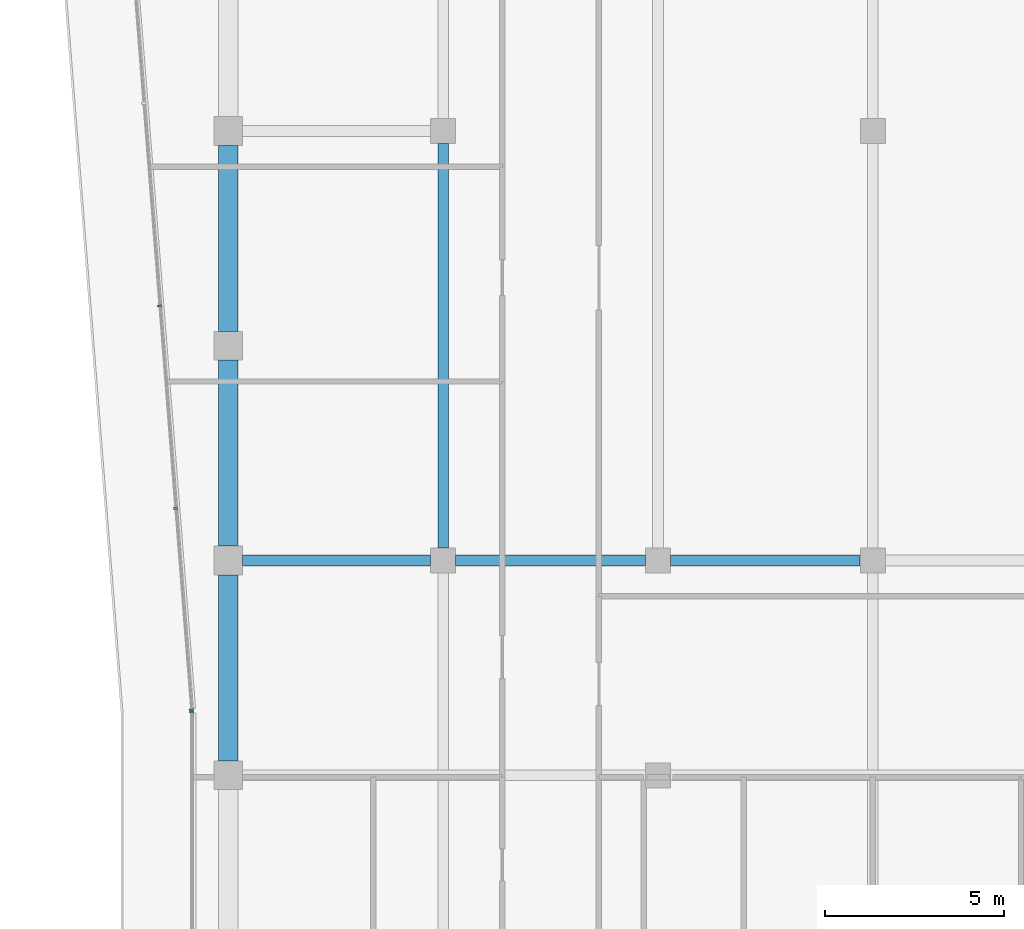
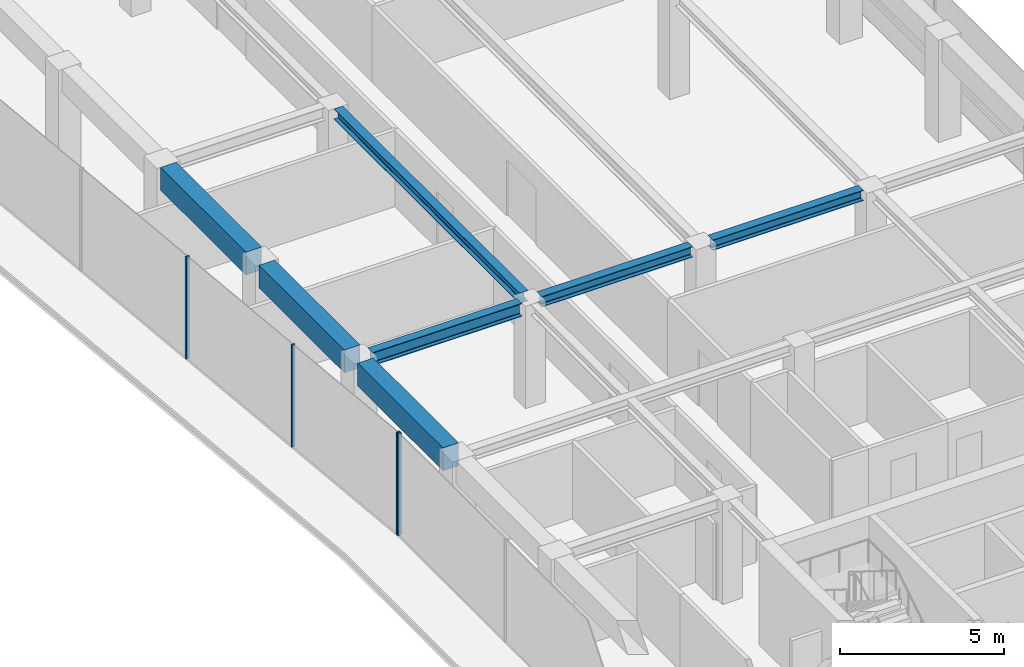
# One storey, part 7 of 23: 7 beams, 4 members, 2 elements without a shape of their own.
"""IFC4 building model written with IfcOpenShell, lengths in metres."""

from ifc_helpers import new_model, si_unit, direction, frame, origin, origin_2d, place, context, subcontext, project, spatial, rectangle, i_section, extrude, material, layer, layer_set, material_profile, profile_set, type_object, element, aggregate, save


model = new_model("IFC4")

# Units and contexts
model_context = context("Model", 3, precision=1e-05, world=origin(), true_north=direction((0.0, 1.0)))
body_context = subcontext(model_context, "Body", "Model", "MODEL_VIEW")
ifc_project = project(units=[si_unit("LENGTHUNIT", "METRE"), si_unit("AREAUNIT", "SQUARE_METRE"), si_unit("VOLUMEUNIT", "CUBIC_METRE"), si_unit("PLANEANGLEUNIT", "RADIAN"), si_unit("MASSUNIT", "GRAM", prefix="KILO")], contexts=[model_context])

# Site, building, storey
site_placement = place(None, origin())
site = spatial("IfcSite", under=ifc_project, at=site_placement, CompositionType="ELEMENT")
building_placement = place(site_placement, origin())
building = spatial("IfcBuilding", under=site, at=building_placement, Name="Welwitschia Terrace Campus", CompositionType="ELEMENT")
storey_placement = place(building_placement, frame((0.0, 0.0, 209.60009765625)))
storey = spatial("IfcBuildingStorey", under=building, at=storey_placement, Name="L46", CompositionType="ELEMENT", Elevation=209.60009765625)

# Beams
ifc_material_1 = material(Name="Steel S355", Category="steel")
ifc_material_profile_1 = material_profile(ifc_material_1, i_section(OverallWidth=0.300048828125, OverallDepth=0.389892578125, WebThickness=0.010986328125, FlangeThickness=0.01904296875, FilletRadius=0.027099609375, at=origin_2d()))
ifc_profile_set_1 = profile_set([ifc_material_profile_1], Name="Steel S355")
beam_type_1 = type_object("IfcBeamType", Name="Interior girder HE 400 A", PredefinedType="BEAM", material=ifc_profile_set_1)
for number, where, z_axis, x_axis, name in (
    (1, (6.3505859375, 40.0, 3.60498046875), (1.0, 0.0, 0.0), (0.0, 1.0, 0.0), "Girder GB5"),
    (2, (12.3505859375, 40.0, 3.60498046875), (1.0, 0.0, 0.0), (0.0, 1.0, 0.0), "Girder GB5"),
):
    element("IfcBeam", number, at=place(storey_placement, frame(where, z_axis=z_axis, x_axis=x_axis)), inside=storey, type_object=beam_type_1, Name=name, PredefinedType="BEAM", context=body_context, shape_type="SweptSolid", body=[
        extrude(i_section(OverallWidth=0.300048828125, OverallDepth=0.389892578125, WebThickness=0.010986328125, FlangeThickness=0.01904296875, FilletRadius=0.027099609375, at=origin_2d()), origin(), (0.0, 0.0, 1.0), 5.298828125),
    ])
beam_1_placement = place(storey_placement, frame((6.0, 40.3505859375, 3.60498046875), z_axis=(0.0, 1.0, 0.0), x_axis=(-1.0, 0.0, 0.0)))
element("IfcBeam", 3, at=beam_1_placement, inside=storey, type_object=beam_type_1, Name="Girder GB5", PredefinedType="BEAM", context=body_context, shape_type="SweptSolid", body=[
    extrude(i_section(OverallWidth=0.300048828125, OverallDepth=0.389892578125, WebThickness=0.010986328125, FlangeThickness=0.01904296875, FilletRadius=0.027099609375, at=origin_2d()), origin(), (0.0, 0.0, 1.0), 11.298828125),
])

# Curtain wall, member
ifc_material_2 = material(Name="Bronze anodised aluminium", Category="aluminium")
ifc_layer = layer(ifc_material_2, 0.1201171875)
ifc_layer_set = layer_set([ifc_layer], Name="Bronze anodised aluminium")
curtain_wall_type = type_object("IfcCurtainWallType", Name="Curtain wall CW2 tower 6000", PredefinedType="NOTDEFINED", material=ifc_layer_set)
curtain_wall_1_placement = place(storey_placement, origin())
curtain_wall_1 = element("IfcCurtainWall", 4, at=curtain_wall_1_placement, inside=storey, type_object=curtain_wall_type, Name="CW L46.0.0", PredefinedType="NOTDEFINED")
ifc_material_3 = material(Name="Bronze anodised aluminium", Category="aluminium")
ifc_material_profile_2 = material_profile(ifc_material_3, rectangle(XDim=0.1201171875, YDim=0.06005859375, at=origin_2d()))
ifc_profile_set_2 = profile_set([ifc_material_profile_2], Name="Bronze anodised aluminium")
member_type = type_object("IfcMemberType", Name="Mullion 60x120", PredefinedType="MULLION", material=ifc_profile_set_2)
member_1_placement = place(storey_placement, frame((-1.030029296875, 35.7685546875, 0.0), z_axis=(0.0, 0.0, 1.0), x_axis=(1.0, 0.0, 0.0)))
member_1 = element("IfcMember", 5, at=member_1_placement, type_object=member_type, Name="Mullion L46.0.0.0", PredefinedType="MULLION", context=body_context, shape_type="SweptSolid", body=[
    extrude(rectangle(XDim=0.1201171875, YDim=0.06005859375, at=origin_2d()), origin(), (0.0, 0.0, 1.0), 3.7998046875),
])
aggregate(curtain_wall_1, [member_1])

# Curtain wall, members
curtain_wall_2_placement = place(storey_placement, origin())
curtain_wall_2 = element("IfcCurtainWall", 6, at=curtain_wall_2_placement, inside=storey, type_object=curtain_wall_type, Name="CW L46.11.0", PredefinedType="NOTDEFINED")
member_2_placement = place(storey_placement, frame((-1.920654296875, 47.114501953125, 0.0), z_axis=(0.0, 0.0, 1.0), x_axis=(0.996917333733, 0.078459095728, 0.0)))
member_2 = element("IfcMember", 7, at=member_2_placement, type_object=member_type, Name="Mullion L46.11.0.4", PredefinedType="MULLION", context=body_context, shape_type="SweptSolid", body=[
    extrude(rectangle(XDim=0.1201171875, YDim=0.06005859375, at=origin_2d()), origin(), (0.0, 0.0, 1.0), 3.7998046875),
])
member_3_placement = place(storey_placement, frame((-1.475341796875, 41.45654296875, 0.0), z_axis=(0.0, 0.0, 1.0), x_axis=(0.996917333733, 0.078459095728, 0.0)))
member_3 = element("IfcMember", 8, at=member_3_placement, type_object=member_type, Name="Mullion L46.11.0.5", PredefinedType="MULLION", context=body_context, shape_type="SweptSolid", body=[
    extrude(rectangle(XDim=0.1201171875, YDim=0.06005859375, at=origin_2d()), origin(), (0.0, 0.0, 1.0), 3.7998046875),
])
member_4_placement = place(storey_placement, frame((-1.032470703125, 35.82861328125, 0.0), z_axis=(0.0, 0.0, 1.0), x_axis=(0.996917333733, 0.078459095728, 0.0)))
member_4 = element("IfcMember", 9, at=member_4_placement, type_object=member_type, Name="Mullion L46.11.0.6", PredefinedType="MULLION", context=body_context, shape_type="SweptSolid", body=[
    extrude(rectangle(XDim=0.1201171875, YDim=0.06005859375, at=origin_2d()), origin(), (0.0, 0.0, 1.0), 3.7998046875),
])
aggregate(curtain_wall_2, [member_2, member_3, member_4])

# Beams
ifc_material_4 = material(Name="Steel S355", Category="steel")
ifc_material_profile_3 = material_profile(ifc_material_4, i_section(OverallWidth=0.300048828125, OverallDepth=0.489990234375, WebThickness=0.011962890625, FlangeThickness=0.02294921875, FilletRadius=0.027099609375, at=origin_2d()))
ifc_profile_set_3 = profile_set([ifc_material_profile_3], Name="Steel S355")
beam_type_2 = type_object("IfcBeamType", Name="Primary beam HE 500 A", PredefinedType="BEAM", material=ifc_profile_set_3)
beam_2_placement = place(storey_placement, frame((0.400390625, 40.0, 3.554931640625), z_axis=(1.0, 0.0, 0.0), x_axis=(0.0, 1.0, 0.0)))
element("IfcBeam", 10, at=beam_2_placement, inside=storey, type_object=beam_type_2, Name="Primary beam PB5", PredefinedType="BEAM", context=body_context, shape_type="SweptSolid", body=[
    extrude(i_section(OverallWidth=0.300048828125, OverallDepth=0.489990234375, WebThickness=0.011962890625, FlangeThickness=0.02294921875, FilletRadius=0.027099609375, at=origin_2d()), origin(), (0.0, 0.0, 1.0), 5.2490234375),
])
ifc_material_5 = material(Name="Concrete C50/60", Category="concrete")
ifc_material_profile_4 = material_profile(ifc_material_5, rectangle(XDim=0.550048828125, YDim=0.85009765625, at=origin_2d()))
ifc_profile_set_4 = profile_set([ifc_material_profile_4], Name="Concrete C50/60")
beam_type_3 = type_object("IfcBeamType", Name="Ring spandrel 550x850", PredefinedType="SPANDREL", material=ifc_profile_set_4)
for number, where, z_axis, x_axis, name in (
    (11, (0.0, 51.599609375, 3.375), (0.0, -1.0, 0.0), (1.0, 0.0, 0.0), "Spandrel SP3"),
    (12, (0.0, 45.599609375, 3.375), (0.0, -1.0, 0.0), (1.0, 0.0, 0.0), "Spandrel SP3"),
    (13, (0.0, 39.599609375, 3.375), (0.0, -1.0, 0.0), (1.0, 0.0, 0.0), "Spandrel SP3"),
):
    element("IfcBeam", number, at=place(storey_placement, frame(where, z_axis=z_axis, x_axis=x_axis)), inside=storey, type_object=beam_type_3, Name=name, PredefinedType="SPANDREL", context=body_context, shape_type="SweptSolid", body=[
        extrude(rectangle(XDim=0.550048828125, YDim=0.85009765625, at=origin_2d()), origin(), (0.0, 0.0, 1.0), 5.19921875),
    ])

save(model, "model.ifc")
